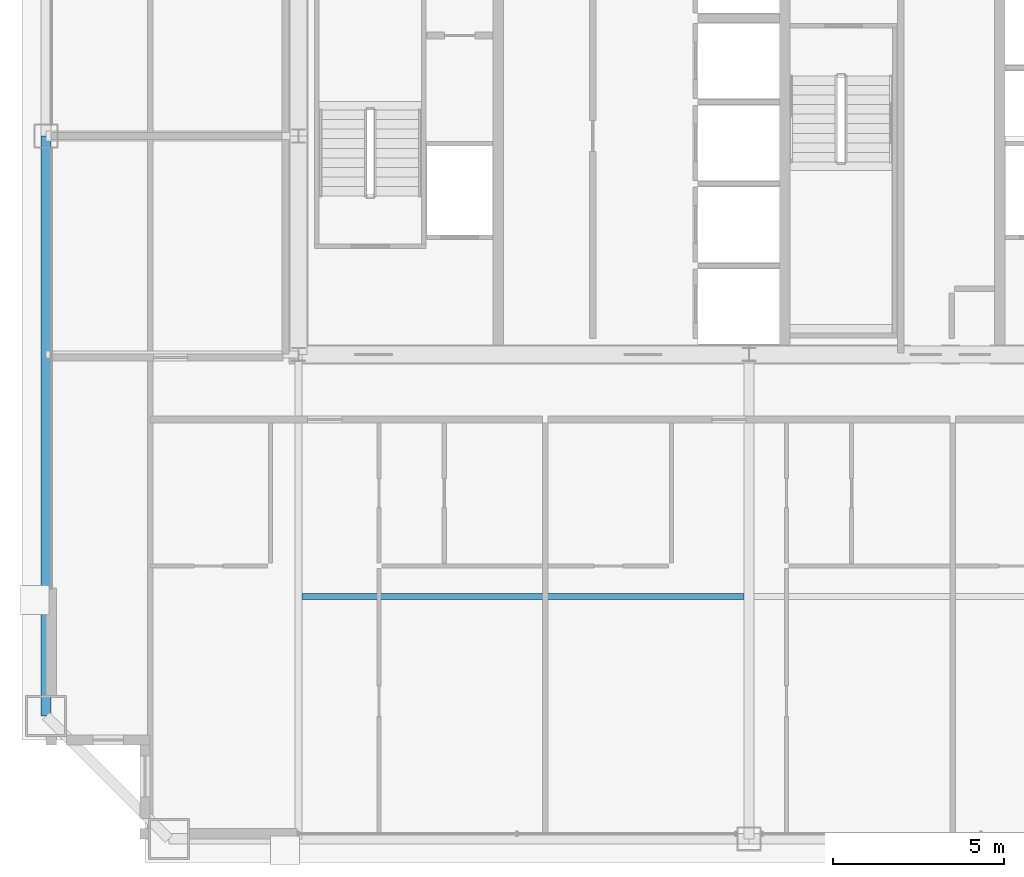
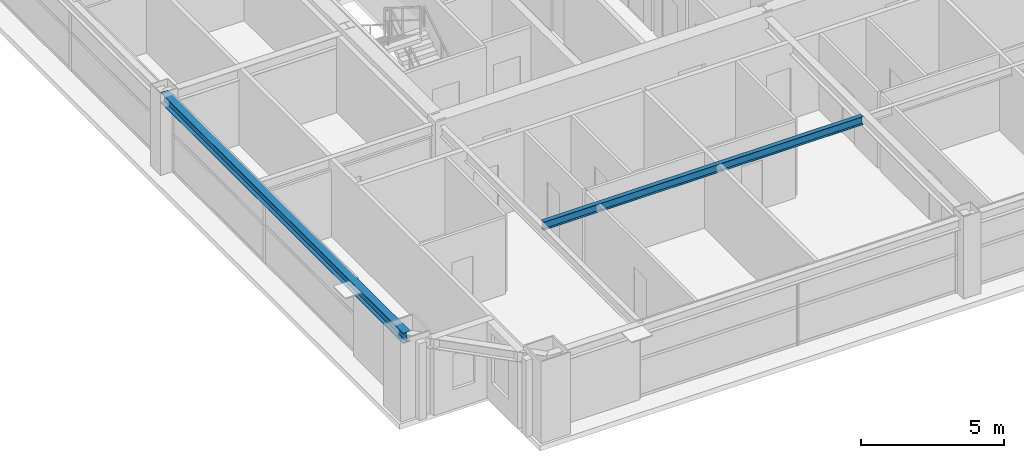
# One storey, part 6 of 37: 2 beams.
"""IFC4 building model written with IfcOpenShell, lengths in metres."""

from ifc_helpers import new_model, si_unit, direction, frame, origin, origin_2d, place, context, subcontext, project, spatial, i_section, extrude, source, transform, mapped, material, material_profile, profile_set, type_object, element, save


model = new_model("IFC4")

# Units and contexts
model_context = context("Model", 3, precision=1e-05, world=origin(), true_north=direction((0.0, 1.0)))
body_context = subcontext(model_context, "Body", "Model", "MODEL_VIEW")
ifc_project = project(units=[si_unit("LENGTHUNIT", "METRE"), si_unit("AREAUNIT", "SQUARE_METRE"), si_unit("VOLUMEUNIT", "CUBIC_METRE"), si_unit("PLANEANGLEUNIT", "RADIAN"), si_unit("MASSUNIT", "GRAM", prefix="KILO"), si_unit("THERMODYNAMICTEMPERATUREUNIT", "KELVIN"), si_unit("POWERUNIT", "WATT")], contexts=[model_context])

# Site, building, storey
site_placement = place(None, origin())
site = spatial("IfcSite", under=ifc_project, at=site_placement, CompositionType="ELEMENT")
building_placement = place(site_placement, origin())
building = spatial("IfcBuilding", under=site, at=building_placement, Name="Yuzanri Waterfront Tower", CompositionType="ELEMENT")
storey_placement = place(building_placement, frame((0.0, 0.0, 252.10009765625)))
storey = spatial("IfcBuildingStorey", under=building, at=storey_placement, Name="L67", CompositionType="ELEMENT", Elevation=252.10009765625)

# Beams
ifc_material_1 = material(Name="Steel Q355B", Category="steel")
ifc_material_profile_1 = material_profile(ifc_material_1, i_section(OverallWidth=0.300048828125, OverallDepth=0.43994140625, WebThickness=0.010986328125, FlangeThickness=0.01806640625, at=origin_2d()), Name="HM 440x300x11x18")
ifc_profile_set_1 = profile_set([ifc_material_profile_1], Name="Steel Q355B")
beam_type_1 = type_object("IfcBeamType", Name="Perimeter Spandrel Q355B HM 440x300", PredefinedType="SPANDREL", material=ifc_profile_set_1)
shared_shape_1 = source(origin(), body_context, "Body", "SweptSolid", [
    extrude(i_section(OverallWidth=0.300048828125, OverallDepth=0.43994140625, WebThickness=0.010986328125, FlangeThickness=0.01806640625, at=origin_2d()), origin(), (0.0, 0.0, 1.0), 17.0),
])
beam_1_placement = place(storey_placement, frame((16.39990234375, 25.800048828125, 3.059814453125), z_axis=(0.0, -1.0, 0.0), x_axis=(1.0, 0.0, 0.0)))
element("IfcBeam", 1, at=beam_1_placement, inside=storey, type_object=beam_type_1, Name="L67 Perimeter Spandrel W2-W1", PredefinedType="SPANDREL", context=body_context, shape_type="MappedRepresentation", body=[
    mapped(shared_shape_1, transform((0.0, 0.0, 0.0), scale=1.0)),
])
ifc_material_2 = material(Name="Steel Q355B", Category="steel")
ifc_material_profile_2 = material_profile(ifc_material_2, i_section(OverallWidth=0.175048828125, OverallDepth=0.35009765625, WebThickness=0.007080078125, FlangeThickness=0.010986328125, at=origin_2d()), Name="HN 350x175x7x11")
ifc_profile_set_2 = profile_set([ifc_material_profile_2], Name="Steel Q355B")
beam_type_2 = type_object("IfcBeamType", Name="Floor Joist Q355B HN 350x175", PredefinedType="JOIST", material=ifc_profile_set_2)
shared_shape_2 = source(origin(), body_context, "Body", "SweptSolid", [
    extrude(i_section(OverallWidth=0.175048828125, OverallDepth=0.35009765625, WebThickness=0.007080078125, FlangeThickness=0.010986328125, at=origin_2d()), origin(), (0.0, 0.0, 1.0), 12.9501953125),
])
beam_2_placement = place(storey_placement, frame((23.89990234375, 12.300048828125, 3.10498046875), z_axis=(1.0, 0.0, 0.0), x_axis=(0.0, 1.0, 0.0)))
element("IfcBeam", 2, at=beam_2_placement, inside=storey, type_object=beam_type_2, Name="L67 South Bay Joist W", PredefinedType="JOIST", context=body_context, shape_type="MappedRepresentation", body=[
    mapped(shared_shape_2, transform((0.0, 0.0, 0.0), scale=1.0)),
])

save(model, "model.ifc")
